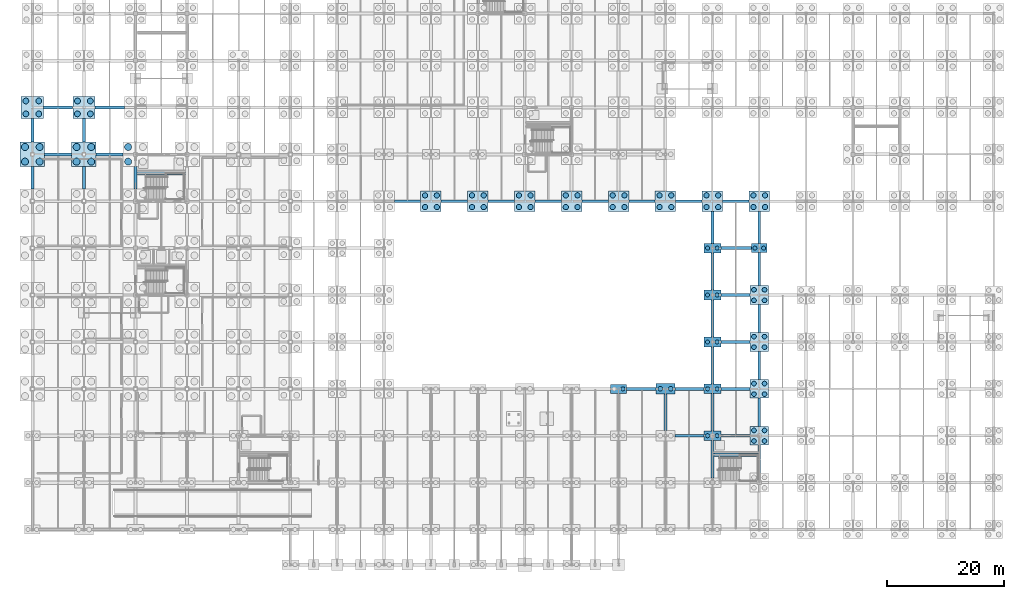
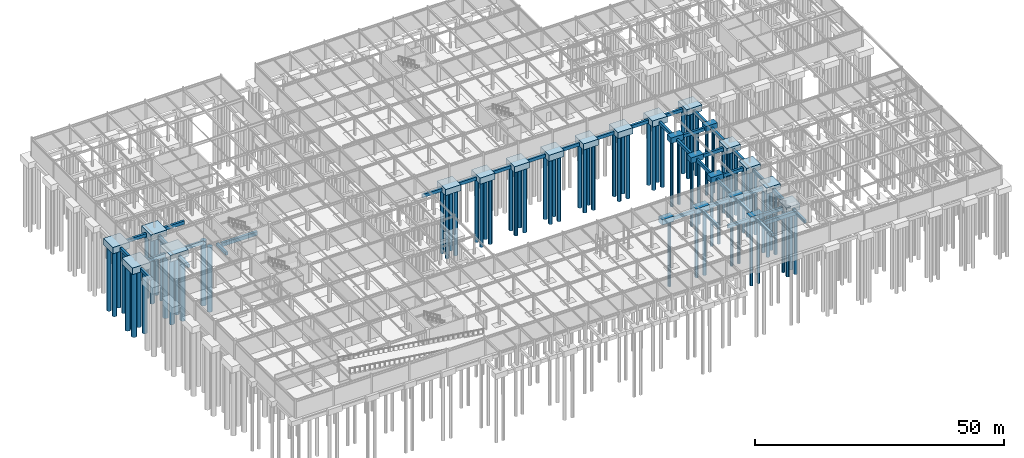
# One storey, part 5 of 72: 81 piles, 64 footings.
"""IFC4 building model written with IfcOpenShell, lengths in metres."""

from ifc_helpers import new_model, si_unit, direction, frame, origin, origin_2d, place, context, subcontext, project, spatial, rectangle, circle, extrude, material, material_profile, profile_set, type_object, element, save


model = new_model("IFC4")

# Units and contexts
model_context = context("Model", 3, precision=1e-05, world=origin(), true_north=direction((0.0, 1.0)))
body_context = subcontext(model_context, "Body", "Model", "MODEL_VIEW")
ifc_project = project(units=[si_unit("LENGTHUNIT", "METRE"), si_unit("AREAUNIT", "SQUARE_METRE"), si_unit("VOLUMEUNIT", "CUBIC_METRE"), si_unit("PLANEANGLEUNIT", "RADIAN"), si_unit("MASSUNIT", "GRAM", prefix="KILO")], contexts=[model_context])

# Site, building, storey
site_placement = place(None, origin())
site = spatial("IfcSite", under=ifc_project, at=site_placement, CompositionType="ELEMENT")
building_placement = place(site_placement, origin())
building = spatial("IfcBuilding", under=site, at=building_placement, Name="Zhaolan Boulevard Law Courts", CompositionType="ELEMENT")
storey_placement = place(building_placement, frame((0.0, 0.0, -4.800048828125)))
storey = spatial("IfcBuildingStorey", under=building, at=storey_placement, Name="B1", CompositionType="ELEMENT", Elevation=-4.800048828125)

# Piles
ifc_material_1 = material(Name="Concrete C40", Category="concrete")
ifc_material_profile_1 = material_profile(ifc_material_1, circle(Radius=0.5, at=origin_2d()), Name="PILE-D1000")
ifc_profile_set_1 = profile_set([ifc_material_profile_1], Name="Concrete C40")
pile_type_1 = type_object("IfcPileType", Name="BORED PILE D1000", PredefinedType="BORED", material=ifc_profile_set_1)
for number, where, z_axis, x_axis, name in (
    (1, (-1.10009765625, 76.89990234375, -1.449951171875), (0.0, 0.0, -1.0), (1.0, 0.0, 0.0), "Bored Pile P-1L-1"),
    (2, (1.10009765625, 76.89990234375, -1.449951171875), (0.0, 0.0, -1.0), (1.0, 0.0, 0.0), "Bored Pile P-1L-2"),
    (3, (-1.10009765625, 79.10009765625, -1.449951171875), (0.0, 0.0, -1.0), (1.0, 0.0, 0.0), "Bored Pile P-1L-3"),
    (4, (1.10009765625, 79.10009765625, -1.449951171875), (0.0, 0.0, -1.0), (1.0, 0.0, 0.0), "Bored Pile P-1L-4"),
    (5, (7.699951171875, 76.89990234375, -1.449951171875), (0.0, 0.0, -1.0), (1.0, 0.0, 0.0), "Bored Pile P-2L-1"),
    (6, (9.89990234375, 76.89990234375, -1.449951171875), (0.0, 0.0, -1.0), (1.0, 0.0, 0.0), "Bored Pile P-2L-2"),
    (7, (7.699951171875, 79.10009765625, -1.449951171875), (0.0, 0.0, -1.0), (1.0, 0.0, 0.0), "Bored Pile P-2L-3"),
    (8, (9.89990234375, 79.10009765625, -1.449951171875), (0.0, 0.0, -1.0), (1.0, 0.0, 0.0), "Bored Pile P-2L-4"),
):
    element("IfcPile", number, at=place(storey_placement, frame(where, z_axis=z_axis, x_axis=x_axis)), inside=storey, type_object=pile_type_1, Name=name, PredefinedType="BORED", context=body_context, shape_type="SweptSolid", body=[
        extrude(circle(Radius=0.5, at=origin_2d()), origin(), (0.0, 0.0, 1.0), 15.949951171875),
    ])
ifc_material_2 = material(Name="Concrete C40", Category="concrete")
ifc_material_profile_2 = material_profile(ifc_material_2, circle(Radius=0.60009765625, at=origin_2d()), Name="PILE-D1200")
ifc_profile_set_2 = profile_set([ifc_material_profile_2], Name="Concrete C40")
pile_type_2 = type_object("IfcPileType", Name="BORED PILE D1200", PredefinedType="BORED", material=ifc_profile_set_2)
for number, where, z_axis, x_axis, name in (
    (9, (-1.25, 68.75, -1.5), (0.0, 0.0, -1.0), (1.0, 0.0, 0.0), "Bored Pile P-1K-1"),
    (10, (1.25, 68.75, -1.5), (0.0, 0.0, -1.0), (1.0, 0.0, 0.0), "Bored Pile P-1K-2"),
    (11, (-1.25, 71.25, -1.5), (0.0, 0.0, -1.0), (1.0, 0.0, 0.0), "Bored Pile P-1K-3"),
    (12, (1.25, 71.25, -1.5), (0.0, 0.0, -1.0), (1.0, 0.0, 0.0), "Bored Pile P-1K-4"),
    (13, (7.550048828125, 68.75, -1.5), (0.0, 0.0, -1.0), (1.0, 0.0, 0.0), "Bored Pile P-2K-1"),
    (14, (10.050048828125, 68.75, -1.5), (0.0, 0.0, -1.0), (1.0, 0.0, 0.0), "Bored Pile P-2K-2"),
    (15, (7.550048828125, 71.25, -1.5), (0.0, 0.0, -1.0), (1.0, 0.0, 0.0), "Bored Pile P-2K-3"),
    (16, (10.050048828125, 71.25, -1.5), (0.0, 0.0, -1.0), (1.0, 0.0, 0.0), "Bored Pile P-2K-4"),
    (17, (16.35009765625, 68.75, -1.5), (0.0, 0.0, -1.0), (1.0, 0.0, 0.0), "Bored Pile P-3K-1"),
    (18, (16.35009765625, 71.25, -1.5), (0.0, 0.0, -1.0), (1.0, 0.0, 0.0), "Bored Pile P-3K-3"),
):
    element("IfcPile", number, at=place(storey_placement, frame(where, z_axis=z_axis, x_axis=x_axis)), inside=storey, type_object=pile_type_2, Name=name, PredefinedType="BORED", context=body_context, shape_type="SweptSolid", body=[
        extrude(circle(Radius=0.60009765625, at=origin_2d()), origin(), (0.0, 0.0, 1.0), 15.89990234375),
    ])
ifc_material_3 = material(Name="Concrete C40", Category="concrete")
ifc_material_profile_3 = material_profile(ifc_material_3, circle(Radius=0.35009765625, at=origin_2d()), Name="PILE-D700")
ifc_profile_set_3 = profile_set([ifc_material_profile_3], Name="Concrete C40")
pile_type_3 = type_object("IfcPileType", Name="BORED PILE D700", PredefinedType="BORED", material=ifc_profile_set_3)
pile_placement = place(storey_placement, frame((100.75, 30.0, -1.199951171875), z_axis=(0.0, 0.0, -1.0), x_axis=(1.0, 0.0, 0.0)))
element("IfcPile", 19, at=pile_placement, inside=storey, type_object=pile_type_3, Name="Bored Pile P-13E-2", PredefinedType="BORED", context=body_context, shape_type="SweptSolid", body=[
    extrude(circle(Radius=0.35009765625, at=origin_2d()), origin(), (0.0, 0.0, 1.0), 16.199951171875),
])
for number, where, z_axis, x_axis, name in (
    (20, (115.179931640625, 22.0, -1.25), (0.0, 0.0, -1.0), (1.0, 0.0, 0.0), "Bored Pile P-15D-1"),
    (21, (116.820068359375, 22.0, -1.25), (0.0, 0.0, -1.0), (1.0, 0.0, 0.0), "Bored Pile P-15D-2"),
    (22, (115.179931640625, 30.0, -1.25), (0.0, 0.0, -1.0), (1.0, 0.0, 0.0), "Bored Pile P-15E-1"),
    (23, (116.820068359375, 30.0, -1.25), (0.0, 0.0, -1.0), (1.0, 0.0, 0.0), "Bored Pile P-15E-2"),
    (24, (115.179931640625, 38.0, -1.25), (0.0, 0.0, -1.0), (1.0, 0.0, 0.0), "Bored Pile P-15F-1"),
    (25, (116.820068359375, 38.0, -1.25), (0.0, 0.0, -1.0), (1.0, 0.0, 0.0), "Bored Pile P-15F-2"),
    (26, (115.179931640625, 46.0, -1.25), (0.0, 0.0, -1.0), (1.0, 0.0, 0.0), "Bored Pile P-15G-1"),
    (27, (116.820068359375, 46.0, -1.25), (0.0, 0.0, -1.0), (1.0, 0.0, 0.0), "Bored Pile P-15G-2"),
    (28, (115.179931640625, 54.0, -1.25), (0.0, 0.0, -1.0), (1.0, 0.0, 0.0), "Bored Pile P-15H-1"),
    (29, (116.820068359375, 54.0, -1.25), (0.0, 0.0, -1.0), (1.0, 0.0, 0.0), "Bored Pile P-15H-2"),
):
    element("IfcPile", number, at=place(storey_placement, frame(where, z_axis=z_axis, x_axis=x_axis)), inside=storey, type_object=pile_type_3, Name=name, PredefinedType="BORED", context=body_context, shape_type="SweptSolid", body=[
        extrude(circle(Radius=0.35009765625, at=origin_2d()), origin(), (0.0, 0.0, 1.0), 16.14990234375),
    ])
for number, where, z_axis, x_axis, name in (
    (30, (123.25, 54.0, -1.199951171875), (0.0, 0.0, -1.0), (1.0, 0.0, 0.0), "Bored Pile P-16H-1"),
    (31, (124.75, 54.0, -1.199951171875), (0.0, 0.0, -1.0), (1.0, 0.0, 0.0), "Bored Pile P-16H-2"),
):
    element("IfcPile", number, at=place(storey_placement, frame(where, z_axis=z_axis, x_axis=x_axis)), inside=storey, type_object=pile_type_3, Name=name, PredefinedType="BORED", context=body_context, shape_type="SweptSolid", body=[
        extrude(circle(Radius=0.35009765625, at=origin_2d()), origin(), (0.0, 0.0, 1.0), 16.199951171875),
    ])
ifc_material_4 = material(Name="Concrete C40", Category="concrete")
ifc_material_profile_4 = material_profile(ifc_material_4, circle(Radius=0.39990234375, at=origin_2d()), Name="PILE-D800")
ifc_profile_set_4 = profile_set([ifc_material_profile_4], Name="Concrete C40")
pile_type_4 = type_object("IfcPileType", Name="BORED PILE D800", PredefinedType="BORED", material=ifc_profile_set_4)
for number, where, z_axis, x_axis, name in (
    (32, (107.10009765625, 30.0, -1.300048828125), (0.0, 0.0, -1.0), (1.0, 0.0, 0.0), "Bored Pile P-14E-1"),
    (33, (108.89990234375, 30.0, -1.300048828125), (0.0, 0.0, -1.0), (1.0, 0.0, 0.0), "Bored Pile P-14E-2"),
):
    element("IfcPile", number, at=place(storey_placement, frame(where, z_axis=z_axis, x_axis=x_axis)), inside=storey, type_object=pile_type_4, Name=name, PredefinedType="BORED", context=body_context, shape_type="SweptSolid", body=[
        extrude(circle(Radius=0.39990234375, at=origin_2d()), origin(), (0.0, 0.0, 1.0), 16.10009765625),
    ])
for number, where, z_axis, x_axis, name in (
    (34, (123.10009765625, 21.10009765625, -1.349853515625), (0.0, 0.0, -1.0), (1.0, 0.0, 0.0), "Bored Pile P-16D-1"),
    (35, (124.89990234375, 21.10009765625, -1.349853515625), (0.0, 0.0, -1.0), (1.0, 0.0, 0.0), "Bored Pile P-16D-2"),
    (36, (123.10009765625, 22.89990234375, -1.349853515625), (0.0, 0.0, -1.0), (1.0, 0.0, 0.0), "Bored Pile P-16D-3"),
    (37, (124.89990234375, 22.89990234375, -1.349853515625), (0.0, 0.0, -1.0), (1.0, 0.0, 0.0), "Bored Pile P-16D-4"),
    (38, (123.10009765625, 29.10009765625, -1.349853515625), (0.0, 0.0, -1.0), (1.0, 0.0, 0.0), "Bored Pile P-16E-1"),
    (39, (124.89990234375, 29.10009765625, -1.349853515625), (0.0, 0.0, -1.0), (1.0, 0.0, 0.0), "Bored Pile P-16E-2"),
    (40, (123.10009765625, 30.89990234375, -1.349853515625), (0.0, 0.0, -1.0), (1.0, 0.0, 0.0), "Bored Pile P-16E-3"),
    (41, (124.89990234375, 30.89990234375, -1.349853515625), (0.0, 0.0, -1.0), (1.0, 0.0, 0.0), "Bored Pile P-16E-4"),
    (42, (123.10009765625, 37.10009765625, -1.349853515625), (0.0, 0.0, -1.0), (1.0, 0.0, 0.0), "Bored Pile P-16F-1"),
    (43, (124.89990234375, 37.10009765625, -1.349853515625), (0.0, 0.0, -1.0), (1.0, 0.0, 0.0), "Bored Pile P-16F-2"),
    (44, (123.10009765625, 38.89990234375, -1.349853515625), (0.0, 0.0, -1.0), (1.0, 0.0, 0.0), "Bored Pile P-16F-3"),
    (45, (124.89990234375, 38.89990234375, -1.349853515625), (0.0, 0.0, -1.0), (1.0, 0.0, 0.0), "Bored Pile P-16F-4"),
    (46, (123.10009765625, 45.10009765625, -1.349853515625), (0.0, 0.0, -1.0), (1.0, 0.0, 0.0), "Bored Pile P-16G-1"),
    (47, (124.89990234375, 45.10009765625, -1.349853515625), (0.0, 0.0, -1.0), (1.0, 0.0, 0.0), "Bored Pile P-16G-2"),
    (48, (123.10009765625, 46.89990234375, -1.349853515625), (0.0, 0.0, -1.0), (1.0, 0.0, 0.0), "Bored Pile P-16G-3"),
    (49, (124.89990234375, 46.89990234375, -1.349853515625), (0.0, 0.0, -1.0), (1.0, 0.0, 0.0), "Bored Pile P-16G-4"),
):
    element("IfcPile", number, at=place(storey_placement, frame(where, z_axis=z_axis, x_axis=x_axis)), inside=storey, type_object=pile_type_4, Name=name, PredefinedType="BORED", context=body_context, shape_type="SweptSolid", body=[
        extrude(circle(Radius=0.39990234375, at=origin_2d()), origin(), (0.0, 0.0, 1.0), 16.050048828125),
    ])
ifc_material_5 = material(Name="Concrete C40", Category="concrete")
ifc_material_profile_5 = material_profile(ifc_material_5, circle(Radius=0.449951171875, at=origin_2d()), Name="PILE-D900")
ifc_profile_set_5 = profile_set([ifc_material_profile_5], Name="Concrete C40")
pile_type_5 = type_object("IfcPileType", Name="BORED PILE D900", PredefinedType="BORED", material=ifc_profile_set_5)
for number, where, z_axis, x_axis, name in (
    (50, (67.0, 61.0, -1.39990234375), (0.0, 0.0, -1.0), (1.0, 0.0, 0.0), "Bored Pile P-9J-1"),
    (51, (69.0, 61.0, -1.39990234375), (0.0, 0.0, -1.0), (1.0, 0.0, 0.0), "Bored Pile P-9J-2"),
    (52, (67.0, 63.0, -1.39990234375), (0.0, 0.0, -1.0), (1.0, 0.0, 0.0), "Bored Pile P-9J-3"),
    (53, (69.0, 63.0, -1.39990234375), (0.0, 0.0, -1.0), (1.0, 0.0, 0.0), "Bored Pile P-9J-4"),
    (54, (75.0, 61.0, -1.39990234375), (0.0, 0.0, -1.0), (1.0, 0.0, 0.0), "Bored Pile P-10J-1"),
    (55, (77.0, 61.0, -1.39990234375), (0.0, 0.0, -1.0), (1.0, 0.0, 0.0), "Bored Pile P-10J-2"),
    (56, (75.0, 63.0, -1.39990234375), (0.0, 0.0, -1.0), (1.0, 0.0, 0.0), "Bored Pile P-10J-3"),
    (57, (77.0, 63.0, -1.39990234375), (0.0, 0.0, -1.0), (1.0, 0.0, 0.0), "Bored Pile P-10J-4"),
    (58, (83.0, 61.0, -1.39990234375), (0.0, 0.0, -1.0), (1.0, 0.0, 0.0), "Bored Pile P-11J-1"),
    (59, (85.0, 61.0, -1.39990234375), (0.0, 0.0, -1.0), (1.0, 0.0, 0.0), "Bored Pile P-11J-2"),
    (60, (83.0, 63.0, -1.39990234375), (0.0, 0.0, -1.0), (1.0, 0.0, 0.0), "Bored Pile P-11J-3"),
    (61, (85.0, 63.0, -1.39990234375), (0.0, 0.0, -1.0), (1.0, 0.0, 0.0), "Bored Pile P-11J-4"),
    (62, (91.0, 61.0, -1.39990234375), (0.0, 0.0, -1.0), (1.0, 0.0, 0.0), "Bored Pile P-12J-1"),
    (63, (93.0, 61.0, -1.39990234375), (0.0, 0.0, -1.0), (1.0, 0.0, 0.0), "Bored Pile P-12J-2"),
    (64, (91.0, 63.0, -1.39990234375), (0.0, 0.0, -1.0), (1.0, 0.0, 0.0), "Bored Pile P-12J-3"),
    (65, (93.0, 63.0, -1.39990234375), (0.0, 0.0, -1.0), (1.0, 0.0, 0.0), "Bored Pile P-12J-4"),
    (66, (99.0, 61.0, -1.39990234375), (0.0, 0.0, -1.0), (1.0, 0.0, 0.0), "Bored Pile P-13J-1"),
    (67, (101.0, 61.0, -1.39990234375), (0.0, 0.0, -1.0), (1.0, 0.0, 0.0), "Bored Pile P-13J-2"),
    (68, (99.0, 63.0, -1.39990234375), (0.0, 0.0, -1.0), (1.0, 0.0, 0.0), "Bored Pile P-13J-3"),
    (69, (101.0, 63.0, -1.39990234375), (0.0, 0.0, -1.0), (1.0, 0.0, 0.0), "Bored Pile P-13J-4"),
    (70, (107.0, 61.0, -1.39990234375), (0.0, 0.0, -1.0), (1.0, 0.0, 0.0), "Bored Pile P-14J-1"),
    (71, (109.0, 61.0, -1.39990234375), (0.0, 0.0, -1.0), (1.0, 0.0, 0.0), "Bored Pile P-14J-2"),
    (72, (107.0, 63.0, -1.39990234375), (0.0, 0.0, -1.0), (1.0, 0.0, 0.0), "Bored Pile P-14J-3"),
    (73, (109.0, 63.0, -1.39990234375), (0.0, 0.0, -1.0), (1.0, 0.0, 0.0), "Bored Pile P-14J-4"),
    (74, (115.0, 61.0, -1.39990234375), (0.0, 0.0, -1.0), (1.0, 0.0, 0.0), "Bored Pile P-15J-1"),
    (75, (117.0, 61.0, -1.39990234375), (0.0, 0.0, -1.0), (1.0, 0.0, 0.0), "Bored Pile P-15J-2"),
    (76, (115.0, 63.0, -1.39990234375), (0.0, 0.0, -1.0), (1.0, 0.0, 0.0), "Bored Pile P-15J-3"),
    (77, (117.0, 63.0, -1.39990234375), (0.0, 0.0, -1.0), (1.0, 0.0, 0.0), "Bored Pile P-15J-4"),
    (78, (123.0, 61.0, -1.39990234375), (0.0, 0.0, -1.0), (1.0, 0.0, 0.0), "Bored Pile P-16J-1"),
    (79, (125.0, 61.0, -1.39990234375), (0.0, 0.0, -1.0), (1.0, 0.0, 0.0), "Bored Pile P-16J-2"),
    (80, (123.0, 63.0, -1.39990234375), (0.0, 0.0, -1.0), (1.0, 0.0, 0.0), "Bored Pile P-16J-3"),
    (81, (125.0, 63.0, -1.39990234375), (0.0, 0.0, -1.0), (1.0, 0.0, 0.0), "Bored Pile P-16J-4"),
):
    element("IfcPile", number, at=place(storey_placement, frame(where, z_axis=z_axis, x_axis=x_axis)), inside=storey, type_object=pile_type_5, Name=name, PredefinedType="BORED", context=body_context, shape_type="SweptSolid", body=[
        extrude(circle(Radius=0.449951171875, at=origin_2d()), origin(), (0.0, 0.0, 1.0), 16.0),
    ])

# Footings
ifc_material_6 = material(Name="Concrete C40", Category="concrete")
footing_type_1 = type_object("IfcFootingType", Name="PILE CAP 2700X1550X1300", PredefinedType="PILE_CAP", material=ifc_material_6)
for number, where, z_axis, x_axis, name in (
    (82, (100.0, 30.0, -1.2998046875), (0.0, 0.0, 1.0), (1.0, 0.0, 0.0), "Pile Cap PC-13E"),
    (83, (124.0, 54.0, -1.2998046875), (0.0, 0.0, 1.0), (1.0, 0.0, 0.0), "Pile Cap PC-16H"),
):
    element("IfcFooting", number, at=place(storey_placement, frame(where, z_axis=z_axis, x_axis=x_axis)), inside=storey, type_object=footing_type_1, Name=name, PredefinedType="PILE_CAP", context=body_context, shape_type="SweptSolid", body=[
        extrude(rectangle(XDim=2.699951171875, YDim=1.550048828125, at=origin_2d()), origin(), (0.0, 0.0, 1.0), 1.300048828125),
    ])
ifc_material_7 = material(Name="Concrete C40", Category="concrete")
footing_type_2 = type_object("IfcFootingType", Name="PILE CAP 2900X1650X1350", PredefinedType="PILE_CAP", material=ifc_material_7)
for number, where, z_axis, x_axis, name in (
    (84, (116.0, 22.0, -1.35009765625), (0.0, 0.0, 1.0), (1.0, 0.0, 0.0), "Pile Cap PC-15D"),
    (85, (116.0, 30.0, -1.35009765625), (0.0, 0.0, 1.0), (1.0, 0.0, 0.0), "Pile Cap PC-15E"),
    (86, (116.0, 38.0, -1.35009765625), (0.0, 0.0, 1.0), (1.0, 0.0, 0.0), "Pile Cap PC-15F"),
    (87, (116.0, 46.0, -1.35009765625), (0.0, 0.0, 1.0), (1.0, 0.0, 0.0), "Pile Cap PC-15G"),
    (88, (116.0, 54.0, -1.35009765625), (0.0, 0.0, 1.0), (1.0, 0.0, 0.0), "Pile Cap PC-15H"),
):
    element("IfcFooting", number, at=place(storey_placement, frame(where, z_axis=z_axis, x_axis=x_axis)), inside=storey, type_object=footing_type_2, Name=name, PredefinedType="PILE_CAP", context=body_context, shape_type="SweptSolid", body=[
        extrude(rectangle(XDim=2.89990234375, YDim=1.64990234375, at=origin_2d()), origin(), (0.0, 0.0, 1.0), 1.35009765625),
    ])
ifc_material_8 = material(Name="Concrete C40", Category="concrete")
footing_type_3 = type_object("IfcFootingType", Name="PILE CAP 3200X1800X1400", PredefinedType="PILE_CAP", material=ifc_material_8)
footing_1_placement = place(storey_placement, frame((108.0, 30.0, -1.39990234375), z_axis=(0.0, 0.0, 1.0), x_axis=(1.0, 0.0, 0.0)))
element("IfcFooting", 89, at=footing_1_placement, inside=storey, type_object=footing_type_3, Name="Pile Cap PC-14E", PredefinedType="PILE_CAP", context=body_context, shape_type="SweptSolid", body=[
    extrude(rectangle(XDim=3.199951171875, YDim=1.800048828125, at=origin_2d()), origin(), (0.0, 0.0, 1.0), 1.39990234375),
])
ifc_material_9 = material(Name="Concrete C40", Category="concrete")
footing_type_4 = type_object("IfcFootingType", Name="PILE CAP 3200X3200X1450", PredefinedType="PILE_CAP", material=ifc_material_9)
for number, where, z_axis, x_axis, name in (
    (90, (124.0, 22.0, -1.44970703125), (0.0, 0.0, 1.0), (1.0, 0.0, 0.0), "Pile Cap PC-16D"),
    (91, (124.0, 30.0, -1.44970703125), (0.0, 0.0, 1.0), (1.0, 0.0, 0.0), "Pile Cap PC-16E"),
    (92, (124.0, 38.0, -1.44970703125), (0.0, 0.0, 1.0), (1.0, 0.0, 0.0), "Pile Cap PC-16F"),
    (93, (124.0, 46.0, -1.44970703125), (0.0, 0.0, 1.0), (1.0, 0.0, 0.0), "Pile Cap PC-16G"),
):
    element("IfcFooting", number, at=place(storey_placement, frame(where, z_axis=z_axis, x_axis=x_axis)), inside=storey, type_object=footing_type_4, Name=name, PredefinedType="PILE_CAP", context=body_context, shape_type="SweptSolid", body=[
        extrude(rectangle(XDim=3.199951171875, YDim=3.199951171875, at=origin_2d()), origin(), (0.0, 0.0, 1.0), 1.449951171875),
    ])
ifc_material_10 = material(Name="Concrete C40", Category="concrete")
footing_type_5 = type_object("IfcFootingType", Name="PILE CAP 3500X3500X1500", PredefinedType="PILE_CAP", material=ifc_material_10)
for number, where, z_axis, x_axis, name in (
    (94, (68.0, 62.0, -1.5), (0.0, 0.0, 1.0), (1.0, 0.0, 0.0), "Pile Cap PC-9J"),
    (95, (76.0, 62.0, -1.5), (0.0, 0.0, 1.0), (1.0, 0.0, 0.0), "Pile Cap PC-10J"),
    (96, (84.0, 62.0, -1.5), (0.0, 0.0, 1.0), (1.0, 0.0, 0.0), "Pile Cap PC-11J"),
    (97, (92.0, 62.0, -1.5), (0.0, 0.0, 1.0), (1.0, 0.0, 0.0), "Pile Cap PC-12J"),
    (98, (100.0, 62.0, -1.5), (0.0, 0.0, 1.0), (1.0, 0.0, 0.0), "Pile Cap PC-13J"),
    (99, (108.0, 62.0, -1.5), (0.0, 0.0, 1.0), (1.0, 0.0, 0.0), "Pile Cap PC-14J"),
    (100, (116.0, 62.0, -1.5), (0.0, 0.0, 1.0), (1.0, 0.0, 0.0), "Pile Cap PC-15J"),
    (101, (124.0, 62.0, -1.5), (0.0, 0.0, 1.0), (1.0, 0.0, 0.0), "Pile Cap PC-16J"),
):
    element("IfcFooting", number, at=place(storey_placement, frame(where, z_axis=z_axis, x_axis=x_axis)), inside=storey, type_object=footing_type_5, Name=name, PredefinedType="PILE_CAP", context=body_context, shape_type="SweptSolid", body=[
        extrude(rectangle(XDim=3.5, YDim=3.5, at=origin_2d()), origin(), (0.0, 0.0, 1.0), 1.5),
    ])
ifc_material_11 = material(Name="Concrete C40", Category="concrete")
footing_type_6 = type_object("IfcFootingType", Name="PILE CAP 3800X3800X1550", PredefinedType="PILE_CAP", material=ifc_material_11)
for number, where, z_axis, x_axis, name in (
    (102, (0.0, 78.0, -1.5498046875), (0.0, 0.0, 1.0), (1.0, 0.0, 0.0), "Pile Cap PC-1L"),
    (103, (8.800048828125, 78.0, -1.5498046875), (0.0, 0.0, 1.0), (1.0, 0.0, 0.0), "Pile Cap PC-2L"),
):
    element("IfcFooting", number, at=place(storey_placement, frame(where, z_axis=z_axis, x_axis=x_axis)), inside=storey, type_object=footing_type_6, Name=name, PredefinedType="PILE_CAP", context=body_context, shape_type="SweptSolid", body=[
        extrude(rectangle(XDim=3.800048828125, YDim=3.800048828125, at=origin_2d()), origin(), (0.0, 0.0, 1.0), 1.550048828125),
    ])
ifc_material_12 = material(Name="Concrete C40", Category="concrete")
footing_type_7 = type_object("IfcFootingType", Name="PILE CAP 4200X4200X1600", PredefinedType="PILE_CAP", material=ifc_material_12)
for number, where, z_axis, x_axis, name in (
    (104, (0.0, 70.0, -1.60009765625), (0.0, 0.0, 1.0), (1.0, 0.0, 0.0), "Pile Cap PC-1K"),
    (105, (8.800048828125, 70.0, -1.60009765625), (0.0, 0.0, 1.0), (1.0, 0.0, 0.0), "Pile Cap PC-2K"),
):
    element("IfcFooting", number, at=place(storey_placement, frame(where, z_axis=z_axis, x_axis=x_axis)), inside=storey, type_object=footing_type_7, Name=name, PredefinedType="PILE_CAP", context=body_context, shape_type="SweptSolid", body=[
        extrude(rectangle(XDim=4.199951171875, YDim=4.199951171875, at=origin_2d()), origin(), (0.0, 0.0, 1.0), 1.60009765625),
    ])
ifc_material_13 = material(Name="Concrete C40", Category="concrete")
ifc_material_profile_6 = material_profile(ifc_material_13, rectangle(XDim=0.60009765625, YDim=0.89990234375, at=origin_2d()), Name="RC600x900")
ifc_profile_set_6 = profile_set([ifc_material_profile_6], Name="Concrete C40")
footing_type_8 = type_object("IfcFootingType", Name="STRIP FOOTING 600X900", PredefinedType="STRIP_FOOTING", material=ifc_profile_set_6)
footing_2_placement = place(storey_placement, frame((17.85205078125, 66.75, -0.449951171875), z_axis=(1.0, 0.0, 0.0), x_axis=(0.0, 1.0, 0.0)))
element("IfcFooting", 106, at=footing_2_placement, inside=storey, type_object=footing_type_8, Name="Stair Divider Strip Footing SF-ST02-DN", PredefinedType="STRIP_FOOTING", context=body_context, shape_type="SweptSolid", body=[
    extrude(rectangle(XDim=0.60009765625, YDim=0.89990234375, at=origin_2d()), origin(), (0.0, 0.0, 1.0), 8.2958984375),
])
footing_3_placement = place(storey_placement, frame((116.251953125, 18.75, -0.449951171875), z_axis=(1.0, 0.0, 0.0), x_axis=(0.0, 1.0, 0.0)))
element("IfcFooting", 107, at=footing_3_placement, inside=storey, type_object=footing_type_8, Name="Stair Divider Strip Footing SF-ST05-DN", PredefinedType="STRIP_FOOTING", context=body_context, shape_type="SweptSolid", body=[
    extrude(rectangle(XDim=0.60009765625, YDim=0.89990234375, at=origin_2d()), origin(), (0.0, 0.0, 1.0), 7.49609375),
])
ifc_material_14 = material(Name="Concrete C40", Category="concrete")
ifc_material_profile_7 = material_profile(ifc_material_14, rectangle(XDim=0.5, YDim=0.800048828125, at=origin_2d()), Name="RC500x800")
ifc_profile_set_7 = profile_set([ifc_material_profile_7], Name="Concrete C40")
footing_type_9 = type_object("IfcFootingType", Name="TIE BEAM 500X800", PredefinedType="FOOTING_BEAM", material=ifc_profile_set_7)
footing_4_placement = place(storey_placement, frame((2.10205078125, 70.0, -1.0), z_axis=(1.0, 0.0, 0.0), x_axis=(0.0, 1.0, 0.0)))
element("IfcFooting", 108, at=footing_4_placement, inside=storey, type_object=footing_type_9, Name="Foundation Tie Beam TBX-1-2-K", PredefinedType="FOOTING_BEAM", context=body_context, shape_type="SweptSolid", body=[
    extrude(rectangle(XDim=0.5, YDim=0.800048828125, at=origin_2d()), origin(), (0.0, 0.0, 1.0), 4.595947265625),
])
footing_5_placement = place(storey_placement, frame((1.902099609375, 78.0, -1.0), z_axis=(1.0, 0.0, 0.0), x_axis=(0.0, 1.0, 0.0)))
element("IfcFooting", 109, at=footing_5_placement, inside=storey, type_object=footing_type_9, Name="Foundation Tie Beam TBX-1-2-L", PredefinedType="FOOTING_BEAM", context=body_context, shape_type="SweptSolid", body=[
    extrude(rectangle(XDim=0.5, YDim=0.800048828125, at=origin_2d()), origin(), (0.0, 0.0, 1.0), 4.995849609375),
])
footing_6_placement = place(storey_placement, frame((10.902099609375, 70.0, -1.0), z_axis=(1.0, 0.0, 0.0), x_axis=(0.0, 1.0, 0.0)))
element("IfcFooting", 110, at=footing_6_placement, inside=storey, type_object=footing_type_9, Name="Foundation Tie Beam TBX-2-3-K", PredefinedType="FOOTING_BEAM", context=body_context, shape_type="SweptSolid", body=[
    extrude(rectangle(XDim=0.5, YDim=0.800048828125, at=origin_2d()), origin(), (0.0, 0.0, 1.0), 4.595947265625),
])
footing_7_placement = place(storey_placement, frame((10.701904296875, 78.0, -1.0), z_axis=(1.0, 0.0, 0.0), x_axis=(0.0, 1.0, 0.0)))
element("IfcFooting", 111, at=footing_7_placement, inside=storey, type_object=footing_type_9, Name="Foundation Tie Beam TBX-2-3-L", PredefinedType="FOOTING_BEAM", context=body_context, shape_type="SweptSolid", body=[
    extrude(rectangle(XDim=0.5, YDim=0.800048828125, at=origin_2d()), origin(), (0.0, 0.0, 1.0), 4.99609375),
])
for number, where, z_axis, x_axis, name in (
    (112, (61.751953125, 62.0, -1.0), (1.0, 0.0, 0.0), (0.0, 1.0, 0.0), "Foundation Tie Beam TBX-8-9-J"),
    (113, (69.751953125, 62.0, -1.0), (1.0, 0.0, 0.0), (0.0, 1.0, 0.0), "Foundation Tie Beam TBX-9-10-J"),
    (114, (77.751953125, 62.0, -1.0), (1.0, 0.0, 0.0), (0.0, 1.0, 0.0), "Foundation Tie Beam TBX-10-11-J"),
    (115, (85.751953125, 62.0, -1.0), (1.0, 0.0, 0.0), (0.0, 1.0, 0.0), "Foundation Tie Beam TBX-11-12-J"),
    (116, (93.751953125, 62.0, -1.0), (1.0, 0.0, 0.0), (0.0, 1.0, 0.0), "Foundation Tie Beam TBX-12-13-J"),
):
    element("IfcFooting", number, at=place(storey_placement, frame(where, z_axis=z_axis, x_axis=x_axis)), inside=storey, type_object=footing_type_9, Name=name, PredefinedType="FOOTING_BEAM", context=body_context, shape_type="SweptSolid", body=[
        extrude(rectangle(XDim=0.5, YDim=0.800048828125, at=origin_2d()), origin(), (0.0, 0.0, 1.0), 4.49609375),
    ])
footing_8_placement = place(storey_placement, frame((101.35205078125, 30.0, -1.0), z_axis=(1.0, 0.0, 0.0), x_axis=(0.0, 1.0, 0.0)))
element("IfcFooting", 117, at=footing_8_placement, inside=storey, type_object=footing_type_9, Name="Foundation Tie Beam TBX-13-14-E", PredefinedType="FOOTING_BEAM", context=body_context, shape_type="SweptSolid", body=[
    extrude(rectangle(XDim=0.5, YDim=0.800048828125, at=origin_2d()), origin(), (0.0, 0.0, 1.0), 5.0458984375),
])
footing_9_placement = place(storey_placement, frame((101.751953125, 62.0, -1.0), z_axis=(1.0, 0.0, 0.0), x_axis=(0.0, 1.0, 0.0)))
element("IfcFooting", 118, at=footing_9_placement, inside=storey, type_object=footing_type_9, Name="Foundation Tie Beam TBX-13-14-J", PredefinedType="FOOTING_BEAM", context=body_context, shape_type="SweptSolid", body=[
    extrude(rectangle(XDim=0.5, YDim=0.800048828125, at=origin_2d()), origin(), (0.0, 0.0, 1.0), 4.49609375),
])
for number, where, z_axis, x_axis, name in (
    (119, (109.60205078125, 22.0, -1.0), (1.0, 0.0, 0.0), (0.0, 1.0, 0.0), "Foundation Tie Beam TBX-14-15-D"),
    (120, (109.60205078125, 30.0, -1.0), (1.0, 0.0, 0.0), (0.0, 1.0, 0.0), "Foundation Tie Beam TBX-14-15-E"),
):
    element("IfcFooting", number, at=place(storey_placement, frame(where, z_axis=z_axis, x_axis=x_axis)), inside=storey, type_object=footing_type_9, Name=name, PredefinedType="FOOTING_BEAM", context=body_context, shape_type="SweptSolid", body=[
        extrude(rectangle(XDim=0.5, YDim=0.800048828125, at=origin_2d()), origin(), (0.0, 0.0, 1.0), 4.946044921875),
    ])
footing_10_placement = place(storey_placement, frame((109.751953125, 62.0, -1.0), z_axis=(1.0, 0.0, 0.0), x_axis=(0.0, 1.0, 0.0)))
element("IfcFooting", 121, at=footing_10_placement, inside=storey, type_object=footing_type_9, Name="Foundation Tie Beam TBX-14-15-J", PredefinedType="FOOTING_BEAM", context=body_context, shape_type="SweptSolid", body=[
    extrude(rectangle(XDim=0.5, YDim=0.800048828125, at=origin_2d()), origin(), (0.0, 0.0, 1.0), 4.49609375),
])
for number, where, z_axis, x_axis, name in (
    (122, (117.451904296875, 22.0, -1.0), (1.0, 0.0, 0.0), (0.0, 1.0, 0.0), "Foundation Tie Beam TBX-15-16-D"),
    (123, (117.451904296875, 30.0, -1.0), (1.0, 0.0, 0.0), (0.0, 1.0, 0.0), "Foundation Tie Beam TBX-15-16-E"),
    (124, (117.451904296875, 38.0, -1.0), (1.0, 0.0, 0.0), (0.0, 1.0, 0.0), "Foundation Tie Beam TBX-15-16-F"),
    (125, (117.451904296875, 46.0, -1.0), (1.0, 0.0, 0.0), (0.0, 1.0, 0.0), "Foundation Tie Beam TBX-15-16-G"),
):
    element("IfcFooting", number, at=place(storey_placement, frame(where, z_axis=z_axis, x_axis=x_axis)), inside=storey, type_object=footing_type_9, Name=name, PredefinedType="FOOTING_BEAM", context=body_context, shape_type="SweptSolid", body=[
        extrude(rectangle(XDim=0.5, YDim=0.800048828125, at=origin_2d()), origin(), (0.0, 0.0, 1.0), 4.946044921875),
    ])
footing_11_placement = place(storey_placement, frame((117.451904296875, 54.0, -1.0), z_axis=(1.0, 0.0, 0.0), x_axis=(0.0, 1.0, 0.0)))
element("IfcFooting", 126, at=footing_11_placement, inside=storey, type_object=footing_type_9, Name="Foundation Tie Beam TBX-15-16-H", PredefinedType="FOOTING_BEAM", context=body_context, shape_type="SweptSolid", body=[
    extrude(rectangle(XDim=0.5, YDim=0.800048828125, at=origin_2d()), origin(), (0.0, 0.0, 1.0), 5.196044921875),
])
footing_12_placement = place(storey_placement, frame((117.751953125, 62.0, -1.0), z_axis=(1.0, 0.0, 0.0), x_axis=(0.0, 1.0, 0.0)))
element("IfcFooting", 127, at=footing_12_placement, inside=storey, type_object=footing_type_9, Name="Foundation Tie Beam TBX-15-16-J", PredefinedType="FOOTING_BEAM", context=body_context, shape_type="SweptSolid", body=[
    extrude(rectangle(XDim=0.5, YDim=0.800048828125, at=origin_2d()), origin(), (0.0, 0.0, 1.0), 4.49609375),
])
footing_13_placement = place(storey_placement, frame((0.0, 64.10205078125, -1.0), z_axis=(0.0, 1.0, 0.0), x_axis=(-1.0, 0.0, 0.0)))
element("IfcFooting", 128, at=footing_13_placement, inside=storey, type_object=footing_type_9, Name="Foundation Tie Beam TBY-1-J-K", PredefinedType="FOOTING_BEAM", context=body_context, shape_type="SweptSolid", body=[
    extrude(rectangle(XDim=0.5, YDim=0.800048828125, at=origin_2d()), origin(), (0.0, 0.0, 1.0), 3.7958984375),
])
footing_14_placement = place(storey_placement, frame((0.0, 72.10205078125, -1.0), z_axis=(0.0, 1.0, 0.0), x_axis=(-1.0, 0.0, 0.0)))
element("IfcFooting", 129, at=footing_14_placement, inside=storey, type_object=footing_type_9, Name="Foundation Tie Beam TBY-1-K-L", PredefinedType="FOOTING_BEAM", context=body_context, shape_type="SweptSolid", body=[
    extrude(rectangle(XDim=0.5, YDim=0.800048828125, at=origin_2d()), origin(), (0.0, 0.0, 1.0), 3.995849609375),
])
footing_15_placement = place(storey_placement, frame((8.800048828125, 64.10205078125, -1.0), z_axis=(0.0, 1.0, 0.0), x_axis=(-1.0, 0.0, 0.0)))
element("IfcFooting", 130, at=footing_15_placement, inside=storey, type_object=footing_type_9, Name="Foundation Tie Beam TBY-2-J-K", PredefinedType="FOOTING_BEAM", context=body_context, shape_type="SweptSolid", body=[
    extrude(rectangle(XDim=0.5, YDim=0.800048828125, at=origin_2d()), origin(), (0.0, 0.0, 1.0), 3.7958984375),
])
footing_16_placement = place(storey_placement, frame((8.800048828125, 72.10205078125, -1.0), z_axis=(0.0, 1.0, 0.0), x_axis=(-1.0, 0.0, 0.0)))
element("IfcFooting", 131, at=footing_16_placement, inside=storey, type_object=footing_type_9, Name="Foundation Tie Beam TBY-2-K-L", PredefinedType="FOOTING_BEAM", context=body_context, shape_type="SweptSolid", body=[
    extrude(rectangle(XDim=0.5, YDim=0.800048828125, at=origin_2d()), origin(), (0.0, 0.0, 1.0), 3.995849609375),
])
footing_17_placement = place(storey_placement, frame((17.60009765625, 64.10205078125, -1.0), z_axis=(0.0, 1.0, 0.0), x_axis=(-1.0, 0.0, 0.0)))
element("IfcFooting", 132, at=footing_17_placement, inside=storey, type_object=footing_type_9, Name="Foundation Tie Beam TBY-3-J-K", PredefinedType="FOOTING_BEAM", context=body_context, shape_type="SweptSolid", body=[
    extrude(rectangle(XDim=0.5, YDim=0.800048828125, at=origin_2d()), origin(), (0.0, 0.0, 1.0), 3.7958984375),
])
footing_18_placement = place(storey_placement, frame((108.0, 22.902099609375, -1.0), z_axis=(0.0, 1.0, 0.0), x_axis=(-1.0, 0.0, 0.0)))
element("IfcFooting", 133, at=footing_18_placement, inside=storey, type_object=footing_type_9, Name="Foundation Tie Beam TBY-14-D-E", PredefinedType="FOOTING_BEAM", context=body_context, shape_type="SweptSolid", body=[
    extrude(rectangle(XDim=0.5, YDim=0.800048828125, at=origin_2d()), origin(), (0.0, 0.0, 1.0), 6.19580078125),
])
for number, where, z_axis, x_axis, name in (
    (134, (116.0, 14.826904296875, -1.0), (0.0, 1.0, 0.0), (-1.0, 0.0, 0.0), "Foundation Tie Beam TBY-15-C-D"),
    (135, (116.0, 22.826904296875, -1.0), (0.0, 1.0, 0.0), (-1.0, 0.0, 0.0), "Foundation Tie Beam TBY-15-D-E"),
    (136, (116.0, 30.826904296875, -1.0), (0.0, 1.0, 0.0), (-1.0, 0.0, 0.0), "Foundation Tie Beam TBY-15-E-F"),
    (137, (116.0, 38.826904296875, -1.0), (0.0, 1.0, 0.0), (-1.0, 0.0, 0.0), "Foundation Tie Beam TBY-15-F-G"),
    (138, (116.0, 46.826904296875, -1.0), (0.0, 1.0, 0.0), (-1.0, 0.0, 0.0), "Foundation Tie Beam TBY-15-G-H"),
):
    element("IfcFooting", number, at=place(storey_placement, frame(where, z_axis=z_axis, x_axis=x_axis)), inside=storey, type_object=footing_type_9, Name=name, PredefinedType="FOOTING_BEAM", context=body_context, shape_type="SweptSolid", body=[
        extrude(rectangle(XDim=0.5, YDim=0.800048828125, at=origin_2d()), origin(), (0.0, 0.0, 1.0), 6.34619140625),
    ])
footing_19_placement = place(storey_placement, frame((116.0, 54.826904296875, -1.0), z_axis=(0.0, 1.0, 0.0), x_axis=(-1.0, 0.0, 0.0)))
element("IfcFooting", 139, at=footing_19_placement, inside=storey, type_object=footing_type_9, Name="Foundation Tie Beam TBY-15-H-J", PredefinedType="FOOTING_BEAM", context=body_context, shape_type="SweptSolid", body=[
    extrude(rectangle(XDim=0.5, YDim=0.800048828125, at=origin_2d()), origin(), (0.0, 0.0, 1.0), 5.421142578125),
])
for number, where, z_axis, x_axis, name in (
    (140, (124.0, 15.60205078125, -1.0), (0.0, 1.0, 0.0), (-1.0, 0.0, 0.0), "Foundation Tie Beam TBY-16-C-D"),
    (141, (124.0, 23.60205078125, -1.0), (0.0, 1.0, 0.0), (-1.0, 0.0, 0.0), "Foundation Tie Beam TBY-16-D-E"),
    (142, (124.0, 31.60205078125, -1.0), (0.0, 1.0, 0.0), (-1.0, 0.0, 0.0), "Foundation Tie Beam TBY-16-E-F"),
    (143, (124.0, 39.60205078125, -1.0), (0.0, 1.0, 0.0), (-1.0, 0.0, 0.0), "Foundation Tie Beam TBY-16-F-G"),
):
    element("IfcFooting", number, at=place(storey_placement, frame(where, z_axis=z_axis, x_axis=x_axis)), inside=storey, type_object=footing_type_9, Name=name, PredefinedType="FOOTING_BEAM", context=body_context, shape_type="SweptSolid", body=[
        extrude(rectangle(XDim=0.5, YDim=0.800048828125, at=origin_2d()), origin(), (0.0, 0.0, 1.0), 4.7958984375),
    ])
footing_20_placement = place(storey_placement, frame((124.0, 47.60205078125, -1.0), z_axis=(0.0, 1.0, 0.0), x_axis=(-1.0, 0.0, 0.0)))
element("IfcFooting", 144, at=footing_20_placement, inside=storey, type_object=footing_type_9, Name="Foundation Tie Beam TBY-16-G-H", PredefinedType="FOOTING_BEAM", context=body_context, shape_type="SweptSolid", body=[
    extrude(rectangle(XDim=0.5, YDim=0.800048828125, at=origin_2d()), origin(), (0.0, 0.0, 1.0), 5.620849609375),
])
footing_21_placement = place(storey_placement, frame((124.0, 54.777099609375, -1.0), z_axis=(0.0, 1.0, 0.0), x_axis=(-1.0, 0.0, 0.0)))
element("IfcFooting", 145, at=footing_21_placement, inside=storey, type_object=footing_type_9, Name="Foundation Tie Beam TBY-16-H-J", PredefinedType="FOOTING_BEAM", context=body_context, shape_type="SweptSolid", body=[
    extrude(rectangle(XDim=0.5, YDim=0.800048828125, at=origin_2d()), origin(), (0.0, 0.0, 1.0), 5.470947265625),
])

save(model, "model.ifc")
